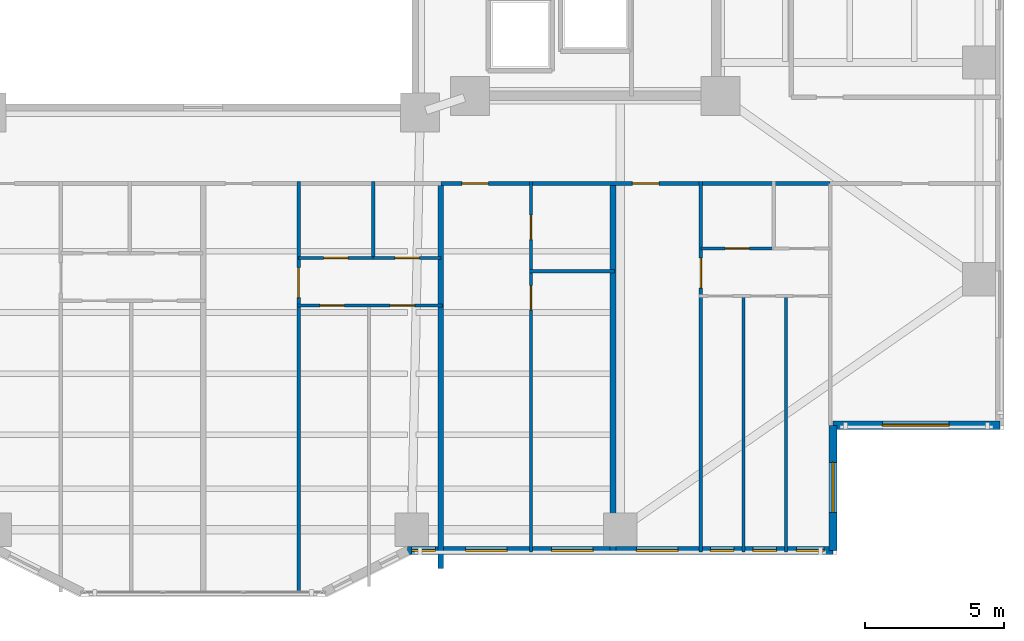
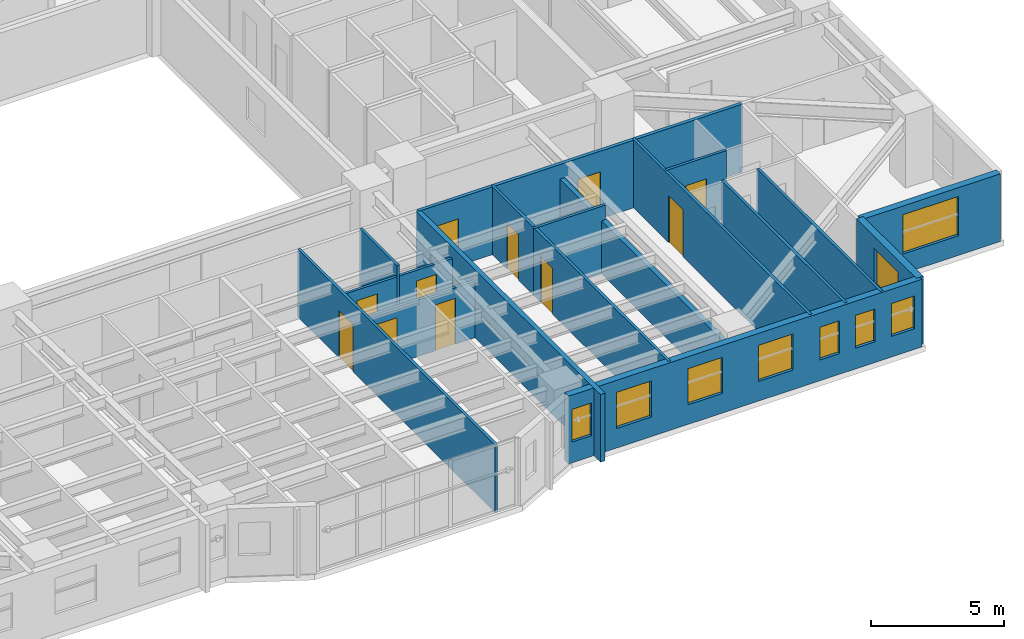
# One storey, part 12 of 21: 18 walls, 11 doors, 9 windows, 20 openings.
"""IFC4 building model written with IfcOpenShell, lengths in metres."""

from ifc_helpers import new_model, si_unit, direction, frame, frame_2d, origin, place, context, subcontext, project, spatial, rectangle, extrude, material, layer, layer_set, type_object, element, fill, save


model = new_model("IFC4")

# Units and contexts
model_context = context("Model", 3, precision=1e-05, world=origin(), true_north=direction((0.0, 1.0)))
body_context = subcontext(model_context, "Body", "Model", "MODEL_VIEW")
ifc_project = project(units=[si_unit("LENGTHUNIT", "METRE"), si_unit("AREAUNIT", "SQUARE_METRE"), si_unit("VOLUMEUNIT", "CUBIC_METRE"), si_unit("PLANEANGLEUNIT", "RADIAN"), si_unit("MASSUNIT", "GRAM", prefix="KILO")], contexts=[model_context])

# Site, building, storey
site_placement = place(None, origin())
site = spatial("IfcSite", under=ifc_project, at=site_placement, CompositionType="ELEMENT")
building_placement = place(site_placement, origin())
building = spatial("IfcBuilding", under=site, at=building_placement, Name="Tarnavaz Court Tower", CompositionType="ELEMENT")
storey_placement = place(building_placement, frame((0.0, 0.0, 24.0)))
storey = spatial("IfcBuildingStorey", under=building, at=storey_placement, Name="L05", CompositionType="ELEMENT", Elevation=24.0)

# Wall, opening, window
ifc_material_1 = material(Name="Precast Concrete C40/50", Category="concrete")
ifc_layer_1 = layer(ifc_material_1, 0.300048828125)
ifc_layer_set_1 = layer_set([ifc_layer_1], Name="Precast Concrete C40/50")
wall_type_1 = type_object("IfcWallType", Name="WL-EXT-300", PredefinedType="SOLIDWALL", material=ifc_layer_set_1)
wall_1_placement = place(storey_placement, frame((28.64990234375, -19.050048828125, 0.0), z_axis=(0.0, 0.0, 1.0), x_axis=(-1.0, 0.0, 0.0)))
wall_1 = element("IfcWall", 1, at=wall_1_placement, inside=storey, type_object=wall_type_1, Name="L05 Exterior Terracotta Facade Wall 13", PredefinedType="SOLIDWALL", context=body_context, shape_type="SweptSolid", body=[
    extrude(rectangle(XDim=6.0, YDim=0.300048828125, at=frame_2d((3.0, 0.0))), origin(), (0.0, 0.0, 1.0), 3.10009765625),
])
opening_1_placement = place(wall_1_placement, frame((1.824951171875, 0.0, 0.89990234375)))
opening_1 = element("IfcOpeningElement", 2, at=opening_1_placement, cuts=wall_1, Name="Opening W06", PredefinedType="OPENING", context=body_context, shape_type="SweptSolid", body=[
    extrude(rectangle(XDim=2.39990234375, YDim=1.800048828125, at=frame_2d((1.199951171875, 0.89990234375))), frame((0.0, 0.159912109375, 0.0), z_axis=(0.0, -1.0, 0.0), x_axis=(1.0, 0.0, 0.0)), (0.0, 0.0, 1.0), 0.320068359375),
])
ifc_material_2 = material(Name="Double-Glazed Solar Low-E Glass", Category="glass")
window_type_1 = type_object("IfcWindowType", Name="WN-APT-2400", PartitioningType="TRIPLE_PANEL_VERTICAL", PredefinedType="WINDOW", material=ifc_material_2)
window_1_placement = place(opening_1_placement, origin())
window_1 = element("IfcWindow", 3, at=window_1_placement, inside=storey, type_object=window_type_1, Name="L05 South-East Corner Reading Room Window", OverallHeight=1.800048828125, OverallWidth=2.39990234375, PartitioningType="SINGLE_PANEL", PredefinedType="WINDOW", context=body_context, shape_type="SweptSolid", body=[
    extrude(rectangle(XDim=2.39990234375, YDim=1.800048828125, at=frame_2d((1.199951171875, 0.89990234375))), frame((0.0, 0.030029296875, 0.0), z_axis=(0.0, -1.0, 0.0), x_axis=(1.0, 0.0, 0.0)), (0.0, 0.0, 1.0), 0.06005859375),
])
fill(opening_1, window_1)

wall_2_placement = place(storey_placement, frame((22.64990234375, -19.050048828125, 0.0), z_axis=(0.0, 0.0, 1.0), x_axis=(0.0, -1.0, 0.0)))
wall_2 = element("IfcWall", 4, at=wall_2_placement, inside=storey, type_object=wall_type_1, Name="L05 Exterior Terracotta Facade Wall 14", PredefinedType="SOLIDWALL", context=body_context, shape_type="SweptSolid", body=[
    extrude(rectangle(XDim=4.5, YDim=0.300048828125, at=frame_2d((2.25, 0.0))), origin(), (0.0, 0.0, 1.0), 3.10009765625),
])
opening_2_placement = place(wall_2_placement, frame((1.33251953125, 0.0, 0.89990234375)))
opening_2 = element("IfcOpeningElement", 5, at=opening_2_placement, cuts=wall_2, Name="Opening W01", PredefinedType="OPENING", context=body_context, shape_type="SweptSolid", body=[
    extrude(rectangle(XDim=1.800048828125, YDim=1.64990234375, at=frame_2d((0.89990234375, 0.824951171875))), frame((0.0, 0.159912109375, 0.0), z_axis=(0.0, -1.0, 0.0), x_axis=(1.0, 0.0, 0.0)), (0.0, 0.0, 1.0), 0.320068359375),
])
window_type_2 = type_object("IfcWindowType", Name="WN-APT-1800", PartitioningType="DOUBLE_PANEL_VERTICAL", PredefinedType="WINDOW", material=ifc_material_2)
window_2_placement = place(opening_2_placement, origin())
window_2 = element("IfcWindow", 6, at=window_2_placement, inside=storey, type_object=window_type_2, Name="L05 Flat 08 Bedroom 3 Window", OverallHeight=1.64990234375, OverallWidth=1.800048828125, PartitioningType="SINGLE_PANEL", PredefinedType="WINDOW", context=body_context, shape_type="SweptSolid", body=[
    extrude(rectangle(XDim=1.800048828125, YDim=1.64990234375, at=frame_2d((0.89990234375, 0.824951171875))), frame((0.0, 0.030029296875, 0.0), z_axis=(0.0, -1.0, 0.0), x_axis=(1.0, 0.0, 0.0)), (0.0, 0.0, 1.0), 0.06005859375),
])
fill(opening_2, window_2)

# Wall, openings, windows
wall_3_placement = place(storey_placement, frame((22.64990234375, -23.550048828125, 0.0), z_axis=(0.0, 0.0, 1.0), x_axis=(-1.0, 0.0, 0.0)))
wall_3 = element("IfcWall", 7, at=wall_3_placement, inside=storey, type_object=wall_type_1, Name="L05 Exterior Terracotta Facade Wall 15", PredefinedType="SOLIDWALL", context=body_context, shape_type="SweptSolid", body=[
    extrude(rectangle(XDim=15.2998046875, YDim=0.300048828125, at=frame_2d((7.64990234375, 0.0))), origin(), (0.0, 0.0, 1.0), 3.10009765625),
])
opening_3_placement = place(wall_3_placement, frame((0.32080078125, 0.0, 0.949951171875)))
opening_3 = element("IfcOpeningElement", 8, at=opening_3_placement, cuts=wall_3, Name="Opening W14", PredefinedType="OPENING", context=body_context, shape_type="SweptSolid", body=[
    extrude(rectangle(XDim=1.0, YDim=1.5, at=frame_2d((0.5, 0.75))), frame((0.0, 0.159912109375, 0.0), z_axis=(0.0, -1.0, 0.0), x_axis=(1.0, 0.0, 0.0)), (0.0, 0.0, 1.0), 0.320068359375),
])
opening_4_placement = place(wall_3_placement, frame((2.031005859375, 0.0, 0.949951171875)))
opening_4 = element("IfcOpeningElement", 9, at=opening_4_placement, cuts=wall_3, Name="Opening W15", PredefinedType="OPENING", context=body_context, shape_type="SweptSolid", body=[
    extrude(rectangle(XDim=0.85009765625, YDim=1.5, at=frame_2d((0.425048828125, 0.75))), frame((0.0, 0.159912109375, 0.0), z_axis=(0.0, -1.0, 0.0), x_axis=(1.0, 0.0, 0.0)), (0.0, 0.0, 1.0), 0.320068359375),
])
opening_5_placement = place(wall_3_placement, frame((3.5615234375, 0.0, 0.949951171875)))
opening_5 = element("IfcOpeningElement", 10, at=opening_5_placement, cuts=wall_3, Name="Opening W15", PredefinedType="OPENING", context=body_context, shape_type="SweptSolid", body=[
    extrude(rectangle(XDim=0.85009765625, YDim=1.5, at=frame_2d((0.425048828125, 0.75))), frame((0.0, 0.159912109375, 0.0), z_axis=(0.0, -1.0, 0.0), x_axis=(1.0, 0.0, 0.0)), (0.0, 0.0, 1.0), 0.320068359375),
])
opening_6_placement = place(wall_3_placement, frame((5.57080078125, 0.0, 0.89990234375)))
opening_6 = element("IfcOpeningElement", 11, at=opening_6_placement, cuts=wall_3, Name="Opening W03", PredefinedType="OPENING", context=body_context, shape_type="SweptSolid", body=[
    extrude(rectangle(XDim=1.5, YDim=1.64990234375, at=frame_2d((0.75, 0.824951171875))), frame((0.0, 0.159912109375, 0.0), z_axis=(0.0, -1.0, 0.0), x_axis=(1.0, 0.0, 0.0)), (0.0, 0.0, 1.0), 0.320068359375),
])
opening_7_placement = place(wall_3_placement, frame((8.630615234375, 0.0, 0.89990234375)))
opening_7 = element("IfcOpeningElement", 12, at=opening_7_placement, cuts=wall_3, Name="Opening W03", PredefinedType="OPENING", context=body_context, shape_type="SweptSolid", body=[
    extrude(rectangle(XDim=1.5, YDim=1.64990234375, at=frame_2d((0.75, 0.824951171875))), frame((0.0, 0.159912109375, 0.0), z_axis=(0.0, -1.0, 0.0), x_axis=(1.0, 0.0, 0.0)), (0.0, 0.0, 1.0), 0.320068359375),
])
opening_8_placement = place(wall_3_placement, frame((11.7158203125, 0.0, 0.89990234375)))
opening_8 = element("IfcOpeningElement", 13, at=opening_8_placement, cuts=wall_3, Name="Opening W03", PredefinedType="OPENING", context=body_context, shape_type="SweptSolid", body=[
    extrude(rectangle(XDim=1.5, YDim=1.64990234375, at=frame_2d((0.75, 0.824951171875))), frame((0.0, 0.159912109375, 0.0), z_axis=(0.0, -1.0, 0.0), x_axis=(1.0, 0.0, 0.0)), (0.0, 0.0, 1.0), 0.320068359375),
])
opening_9_placement = place(wall_3_placement, frame((14.30322265625, 0.0, 0.949951171875)))
opening_9 = element("IfcOpeningElement", 14, at=opening_9_placement, cuts=wall_3, Name="Opening W15", PredefinedType="OPENING", context=body_context, shape_type="SweptSolid", body=[
    extrude(rectangle(XDim=0.85009765625, YDim=1.5, at=frame_2d((0.425048828125, 0.75))), frame((0.0, 0.159912109375, 0.0), z_axis=(0.0, -1.0, 0.0), x_axis=(1.0, 0.0, 0.0)), (0.0, 0.0, 1.0), 0.320068359375),
])
window_type_3 = type_object("IfcWindowType", Name="WN-APT-1000", PartitioningType="SINGLE_PANEL", PredefinedType="WINDOW", material=ifc_material_2)
window_3_placement = place(opening_3_placement, origin())
window_3 = element("IfcWindow", 15, at=window_3_placement, inside=storey, type_object=window_type_3, Name="L05 Flat 08 Bedroom 3 Window", OverallHeight=1.5, OverallWidth=1.0, PartitioningType="SINGLE_PANEL", PredefinedType="WINDOW", context=body_context, shape_type="SweptSolid", body=[
    extrude(rectangle(XDim=1.0, YDim=1.5, at=frame_2d((0.5, 0.75))), frame((0.0, 0.030029296875, 0.0), z_axis=(0.0, -1.0, 0.0), x_axis=(1.0, 0.0, 0.0)), (0.0, 0.0, 1.0), 0.06005859375),
])
fill(opening_3, window_3)
window_type_4 = type_object("IfcWindowType", Name="WN-APT-1500", PartitioningType="DOUBLE_PANEL_VERTICAL", PredefinedType="WINDOW", material=ifc_material_2)
window_4_placement = place(opening_6_placement, origin())
window_4 = element("IfcWindow", 16, at=window_4_placement, inside=storey, type_object=window_type_4, Name="L05 Flat 08 Living and Dining Room Window", OverallHeight=1.64990234375, OverallWidth=1.5, PartitioningType="SINGLE_PANEL", PredefinedType="WINDOW", context=body_context, shape_type="SweptSolid", body=[
    extrude(rectangle(XDim=1.5, YDim=1.64990234375, at=frame_2d((0.75, 0.824951171875))), frame((0.0, 0.030029296875, 0.0), z_axis=(0.0, -1.0, 0.0), x_axis=(1.0, 0.0, 0.0)), (0.0, 0.0, 1.0), 0.06005859375),
])
fill(opening_6, window_4)
window_5_placement = place(opening_7_placement, origin())
window_5 = element("IfcWindow", 17, at=window_5_placement, inside=storey, type_object=window_type_4, Name="L05 Flat 07 Kitchen Window", OverallHeight=1.64990234375, OverallWidth=1.5, PartitioningType="SINGLE_PANEL", PredefinedType="WINDOW", context=body_context, shape_type="SweptSolid", body=[
    extrude(rectangle(XDim=1.5, YDim=1.64990234375, at=frame_2d((0.75, 0.824951171875))), frame((0.0, 0.030029296875, 0.0), z_axis=(0.0, -1.0, 0.0), x_axis=(1.0, 0.0, 0.0)), (0.0, 0.0, 1.0), 0.06005859375),
])
fill(opening_7, window_5)
window_6_placement = place(opening_8_placement, origin())
window_6 = element("IfcWindow", 18, at=window_6_placement, inside=storey, type_object=window_type_4, Name="L05 Flat 07 Studio Living and Sleeping Room Window", OverallHeight=1.64990234375, OverallWidth=1.5, PartitioningType="SINGLE_PANEL", PredefinedType="WINDOW", context=body_context, shape_type="SweptSolid", body=[
    extrude(rectangle(XDim=1.5, YDim=1.64990234375, at=frame_2d((0.75, 0.824951171875))), frame((0.0, 0.030029296875, 0.0), z_axis=(0.0, -1.0, 0.0), x_axis=(1.0, 0.0, 0.0)), (0.0, 0.0, 1.0), 0.06005859375),
])
fill(opening_8, window_6)
window_type_5 = type_object("IfcWindowType", Name="WN-APT-850", PartitioningType="SINGLE_PANEL", PredefinedType="WINDOW", material=ifc_material_2)
window_7_placement = place(opening_4_placement, origin())
window_7 = element("IfcWindow", 19, at=window_7_placement, inside=storey, type_object=window_type_5, Name="L05 Flat 08 Bedroom 2 Window", OverallHeight=1.5, OverallWidth=0.85009765625, PartitioningType="SINGLE_PANEL", PredefinedType="WINDOW", context=body_context, shape_type="SweptSolid", body=[
    extrude(rectangle(XDim=0.85009765625, YDim=1.5, at=frame_2d((0.425048828125, 0.75))), frame((0.0, 0.030029296875, 0.0), z_axis=(0.0, -1.0, 0.0), x_axis=(1.0, 0.0, 0.0)), (0.0, 0.0, 1.0), 0.06005859375),
])
fill(opening_4, window_7)
window_8_placement = place(opening_5_placement, origin())
window_8 = element("IfcWindow", 20, at=window_8_placement, inside=storey, type_object=window_type_5, Name="L05 Flat 08 Principal Bedroom Window", OverallHeight=1.5, OverallWidth=0.85009765625, PartitioningType="SINGLE_PANEL", PredefinedType="WINDOW", context=body_context, shape_type="SweptSolid", body=[
    extrude(rectangle(XDim=0.85009765625, YDim=1.5, at=frame_2d((0.425048828125, 0.75))), frame((0.0, 0.030029296875, 0.0), z_axis=(0.0, -1.0, 0.0), x_axis=(1.0, 0.0, 0.0)), (0.0, 0.0, 1.0), 0.06005859375),
])
fill(opening_5, window_8)
window_9_placement = place(opening_9_placement, origin())
window_9 = element("IfcWindow", 21, at=window_9_placement, inside=storey, type_object=window_type_5, Name="L05 Flat 10 Bedroom 2 Window", OverallHeight=1.5, OverallWidth=0.85009765625, PartitioningType="SINGLE_PANEL", PredefinedType="WINDOW", context=body_context, shape_type="SweptSolid", body=[
    extrude(rectangle(XDim=0.85009765625, YDim=1.5, at=frame_2d((0.425048828125, 0.75))), frame((0.0, 0.030029296875, 0.0), z_axis=(0.0, -1.0, 0.0), x_axis=(1.0, 0.0, 0.0)), (0.0, 0.0, 1.0), 0.06005859375),
])
fill(opening_9, window_9)

# Wall, openings, doors
ifc_material_3 = material(Name="Gypsum Fire-Board on Acoustic Metal Stud", Category="masonry")
ifc_layer_2 = layer(ifc_material_3, 0.14990234375)
ifc_layer_set_2 = layer_set([ifc_layer_2], Name="Gypsum Fire-Board on Acoustic Metal Stud")
wall_type_2 = type_object("IfcWallType", Name="WL-FIRE-150", PredefinedType="PARTITIONING", material=ifc_layer_set_2)
wall_4_placement = place(storey_placement, frame((8.550048828125, -10.35009765625, 0.0), z_axis=(0.0, 0.0, 1.0), x_axis=(1.0, 0.0, 0.0)))
wall_4 = element("IfcWall", 22, at=wall_4_placement, inside=storey, type_object=wall_type_2, Name="L05 SE Corridor Wall 086", PredefinedType="PARTITIONING", context=body_context, shape_type="SweptSolid", body=[
    extrude(rectangle(XDim=14.0, YDim=0.14990234375, at=frame_2d((7.0, 0.0))), origin(), (0.0, 0.0, 1.0), 3.10009765625),
])
opening_10_placement = place(wall_4_placement, frame((0.75, 0.0, 0.0)))
opening_10 = element("IfcOpeningElement", 23, at=opening_10_placement, cuts=wall_4, Name="Opening D06", PredefinedType="OPENING", context=body_context, shape_type="SweptSolid", body=[
    extrude(rectangle(XDim=0.9599609375, YDim=2.14990234375, at=frame_2d((0.47998046875, 1.074951171875))), frame((0.0, 0.0849609375, 0.0), z_axis=(0.0, -1.0, 0.0), x_axis=(1.0, 0.0, 0.0)), (0.0, 0.0, 1.0), 0.169921875),
])
opening_11_placement = place(wall_4_placement, frame((6.887939453125, 0.0, 0.0)))
opening_11 = element("IfcOpeningElement", 24, at=opening_11_placement, cuts=wall_4, Name="Opening D06", PredefinedType="OPENING", context=body_context, shape_type="SweptSolid", body=[
    extrude(rectangle(XDim=0.9599609375, YDim=2.14990234375, at=frame_2d((0.47998046875, 1.074951171875))), frame((0.0, 0.0849609375, 0.0), z_axis=(0.0, -1.0, 0.0), x_axis=(1.0, 0.0, 0.0)), (0.0, 0.0, 1.0), 0.169921875),
])
ifc_material_4 = material(Name="Fire-Rated Hardwood Timber Core", Category="wood")
door_type_1 = type_object("IfcDoorType", Name="DR-FD60-950", OperationType="NOTDEFINED", PredefinedType="DOOR", material=ifc_material_4)
door_1_placement = place(opening_10_placement, origin())
door_1 = element("IfcDoor", 25, at=door_1_placement, inside=storey, type_object=door_type_1, Name="L05 Flat 07 Entrance Door", OperationType="SINGLE_SWING_RIGHT", OverallHeight=2.14990234375, OverallWidth=0.9599609375, PredefinedType="DOOR", context=body_context, shape_type="SweptSolid", body=[
    extrude(rectangle(XDim=0.9599609375, YDim=2.14990234375, at=frame_2d((0.47998046875, 1.074951171875))), frame((0.0, 0.02490234375, 0.0), z_axis=(0.0, -1.0, 0.0), x_axis=(1.0, 0.0, 0.0)), (0.0, 0.0, 1.0), 0.050048828125),
])
fill(opening_10, door_1)
door_2_placement = place(opening_11_placement, origin())
door_2 = element("IfcDoor", 26, at=door_2_placement, inside=storey, type_object=door_type_1, Name="L05 Flat 08 Entrance Door", OperationType="SINGLE_SWING_LEFT", OverallHeight=2.14990234375, OverallWidth=0.9599609375, PredefinedType="DOOR", context=body_context, shape_type="SweptSolid", body=[
    extrude(rectangle(XDim=0.9599609375, YDim=2.14990234375, at=frame_2d((0.47998046875, 1.074951171875))), frame((0.0, 0.02490234375, 0.0), z_axis=(0.0, -1.0, 0.0), x_axis=(1.0, 0.0, 0.0)), (0.0, 0.0, 1.0), 0.050048828125),
])
fill(opening_11, door_2)

# Walls
ifc_material_5 = material(Name="Autoclaved Aerated Concrete Blockwork", Category="masonry")
ifc_layer_3 = layer(ifc_material_5, 0.199951171875)
ifc_layer_set_3 = layer_set([ifc_layer_3], Name="Autoclaved Aerated Concrete Blockwork")
wall_type_3 = type_object("IfcWallType", Name="WL-FIRE-200", PredefinedType="SOLIDWALL", material=ifc_layer_set_3)
wall_5_placement = place(storey_placement, frame((14.738037109375, -23.60009765625, 0.0), z_axis=(0.0, 0.0, 1.0), x_axis=(0.0, 1.0, 0.0)))
element("IfcWall", 27, at=wall_5_placement, inside=storey, type_object=wall_type_3, Name="L05 Party Wall 118", PredefinedType="SOLIDWALL", context=body_context, shape_type="SweptSolid", body=[
    extrude(rectangle(XDim=13.25, YDim=0.199951171875, at=frame_2d((6.625, 0.0))), origin(), (0.0, 0.0, 1.0), 2.43505859375),
])
wall_6_placement = place(storey_placement, frame((8.550048828125, -24.2041015625, 0.0), z_axis=(0.0, 0.0, 1.0), x_axis=(0.0, 1.0, 0.0)))
element("IfcWall", 28, at=wall_6_placement, inside=storey, type_object=wall_type_3, Name="L05 Party Wall 130", PredefinedType="SOLIDWALL", context=body_context, shape_type="SweptSolid", body=[
    extrude(rectangle(XDim=13.85400390625, YDim=0.199951171875, at=frame_2d((6.927001953125, 0.0))), origin(), (0.0, 0.0, 1.0), 3.10009765625),
])

# Wall, opening, door
ifc_material_6 = material(Name="Moisture-Resistant Gypsum Board Partition", Category="masonry")
ifc_layer_4 = layer(ifc_material_6, 0.1201171875)
ifc_layer_set_4 = layer_set([ifc_layer_4], Name="Moisture-Resistant Gypsum Board Partition")
wall_type_4 = type_object("IfcWallType", Name="WL-PART-120", PredefinedType="PARTITIONING", material=ifc_layer_set_4)
wall_7_placement = place(storey_placement, frame((11.7890625, -23.60009765625, 0.0), z_axis=(0.0, 0.0, 1.0), x_axis=(0.0, 1.0, 0.0)))
wall_7 = element("IfcWall", 29, at=wall_7_placement, inside=storey, type_object=wall_type_4, Name="L05 Interior Partition 119", PredefinedType="PARTITIONING", context=body_context, shape_type="SweptSolid", body=[
    extrude(rectangle(XDim=10.090087890625, YDim=0.1201171875, at=frame_2d((5.044921875, 0.0))), origin(), (0.0, 0.0, 1.0), 3.10009765625),
])
opening_12_placement = place(wall_7_placement, frame((8.68994140625, 0.0, 0.0)))
opening_12 = element("IfcOpeningElement", 30, at=opening_12_placement, cuts=wall_7, Name="Opening D14", PredefinedType="OPENING", context=body_context, shape_type="SweptSolid", body=[
    extrude(rectangle(XDim=0.8798828125, YDim=2.10009765625, at=frame_2d((0.43994140625, 1.050048828125))), frame((0.0, 0.070068359375, 0.0), z_axis=(0.0, -1.0, 0.0), x_axis=(1.0, 0.0, 0.0)), (0.0, 0.0, 1.0), 0.14013671875),
])
ifc_material_7 = material(Name="Engineered Oak Timber", Category="wood")
door_type_2 = type_object("IfcDoorType", Name="DR-INT-900", OperationType="NOTDEFINED", PredefinedType="DOOR", material=ifc_material_7)
door_3_placement = place(opening_12_placement, origin())
door_3 = element("IfcDoor", 31, at=door_3_placement, inside=storey, type_object=door_type_2, Name="L05 Flat 07 Kitchen Door", OperationType="SINGLE_SWING_LEFT", OverallHeight=2.10009765625, OverallWidth=0.8798828125, PredefinedType="DOOR", context=body_context, shape_type="SweptSolid", body=[
    extrude(rectangle(XDim=0.8798828125, YDim=2.10009765625, at=frame_2d((0.43994140625, 1.050048828125))), frame((0.0, 0.02490234375, 0.0), z_axis=(0.0, -1.0, 0.0), x_axis=(1.0, 0.0, 0.0)), (0.0, 0.0, 1.0), 0.050048828125),
])
fill(opening_12, door_3)

wall_8_placement = place(storey_placement, frame((11.7890625, -13.510009765625, 0.0), z_axis=(0.0, 0.0, 1.0), x_axis=(0.0, 1.0, 0.0)))
wall_8 = element("IfcWall", 32, at=wall_8_placement, inside=storey, type_object=wall_type_4, Name="L05 Interior Partition 120", PredefinedType="PARTITIONING", context=body_context, shape_type="SweptSolid", body=[
    extrude(rectangle(XDim=3.219970703125, YDim=0.1201171875, at=frame_2d((1.60986328125, 0.0))), origin(), (0.0, 0.0, 1.0), 3.10009765625),
])
opening_13_placement = place(wall_8_placement, frame((1.139892578125, 0.0, 0.0)))
opening_13 = element("IfcOpeningElement", 33, at=opening_13_placement, cuts=wall_8, Name="Opening D14", PredefinedType="OPENING", context=body_context, shape_type="SweptSolid", body=[
    extrude(rectangle(XDim=0.8798828125, YDim=2.10009765625, at=frame_2d((0.43994140625, 1.050048828125))), frame((0.0, 0.070068359375, 0.0), z_axis=(0.0, -1.0, 0.0), x_axis=(1.0, 0.0, 0.0)), (0.0, 0.0, 1.0), 0.14013671875),
])
door_4_placement = place(opening_13_placement, origin())
door_4 = element("IfcDoor", 34, at=door_4_placement, inside=storey, type_object=door_type_2, Name="L05 Flat 07 Bathroom Door", OperationType="SINGLE_SWING_RIGHT", OverallHeight=2.10009765625, OverallWidth=0.8798828125, PredefinedType="DOOR", context=body_context, shape_type="SweptSolid", body=[
    extrude(rectangle(XDim=0.8798828125, YDim=2.10009765625, at=frame_2d((0.43994140625, 1.050048828125))), frame((0.0, 0.02490234375, 0.0), z_axis=(0.0, -1.0, 0.0), x_axis=(1.0, 0.0, 0.0)), (0.0, 0.0, 1.0), 0.050048828125),
])
fill(opening_13, door_4)

# Wall
wall_9_placement = place(storey_placement, frame((11.72900390625, -13.510009765625, 0.0), z_axis=(0.0, 0.0, 1.0), x_axis=(1.0, 0.0, 0.0)))
element("IfcWall", 35, at=wall_9_placement, inside=storey, type_object=wall_type_4, Name="L05 Interior Partition 121", PredefinedType="PARTITIONING", context=body_context, shape_type="SweptSolid", body=[
    extrude(rectangle(XDim=3.069091796875, YDim=0.1201171875, at=frame_2d((1.53466796875, 0.0))), origin(), (0.0, 0.0, 1.0), 3.10009765625),
])

# Wall, opening, door
wall_10_placement = place(storey_placement, frame((17.89794921875, -23.60009765625, 0.0), z_axis=(0.0, 0.0, 1.0), x_axis=(0.0, 1.0, 0.0)))
wall_10 = element("IfcWall", 36, at=wall_10_placement, inside=storey, type_object=wall_type_4, Name="L05 Interior Partition 122", PredefinedType="PARTITIONING", context=body_context, shape_type="SweptSolid", body=[
    extrude(rectangle(XDim=13.31005859375, YDim=0.1201171875, at=frame_2d((6.655029296875, 0.0))), origin(), (0.0, 0.0, 1.0), 3.10009765625),
])
opening_14_placement = place(wall_10_placement, frame((9.485107421875, 0.0, 0.0)))
opening_14 = element("IfcOpeningElement", 37, at=opening_14_placement, cuts=wall_10, Name="Opening D12", PredefinedType="OPENING", context=body_context, shape_type="SweptSolid", body=[
    extrude(rectangle(XDim=1.080078125, YDim=2.14990234375, at=frame_2d((0.5400390625, 1.074951171875))), frame((0.0, 0.070068359375, 0.0), z_axis=(0.0, -1.0, 0.0), x_axis=(1.0, 0.0, 0.0)), (0.0, 0.0, 1.0), 0.14013671875),
])
door_type_3 = type_object("IfcDoorType", Name="DR-INT-1100", OperationType="NOTDEFINED", PredefinedType="DOOR", material=ifc_material_7)
door_5_placement = place(opening_14_placement, origin())
door_5 = element("IfcDoor", 38, at=door_5_placement, inside=storey, type_object=door_type_3, Name="L05 Flat 08 Foyer Door", OperationType="SINGLE_SWING_RIGHT", OverallHeight=2.14990234375, OverallWidth=1.080078125, PredefinedType="DOOR", context=body_context, shape_type="SweptSolid", body=[
    extrude(rectangle(XDim=1.080078125, YDim=2.14990234375, at=frame_2d((0.5400390625, 1.074951171875))), frame((0.0, 0.02490234375, 0.0), z_axis=(0.0, -1.0, 0.0), x_axis=(1.0, 0.0, 0.0)), (0.0, 0.0, 1.0), 0.050048828125),
])
fill(opening_14, door_5)

wall_11_placement = place(storey_placement, frame((17.89794921875, -12.68994140625, 0.0), z_axis=(0.0, 0.0, 1.0), x_axis=(1.0, 0.0, 0.0)))
wall_11 = element("IfcWall", 39, at=wall_11_placement, inside=storey, type_object=wall_type_4, Name="L05 Interior Partition 123", PredefinedType="PARTITIONING", context=body_context, shape_type="SweptSolid", body=[
    extrude(rectangle(XDim=2.616943359375, YDim=0.1201171875, at=frame_2d((1.30859375, 0.0))), origin(), (0.0, 0.0, 1.0), 3.10009765625),
])
opening_15_placement = place(wall_11_placement, frame((0.868896484375, 0.0, 0.0)))
opening_15 = element("IfcOpeningElement", 40, at=opening_15_placement, cuts=wall_11, Name="Opening D14", PredefinedType="OPENING", context=body_context, shape_type="SweptSolid", body=[
    extrude(rectangle(XDim=0.8798828125, YDim=2.10009765625, at=frame_2d((0.43994140625, 1.050048828125))), frame((0.0, 0.070068359375, 0.0), z_axis=(0.0, -1.0, 0.0), x_axis=(1.0, 0.0, 0.0)), (0.0, 0.0, 1.0), 0.14013671875),
])
door_6_placement = place(opening_15_placement, origin())
door_6 = element("IfcDoor", 41, at=door_6_placement, inside=storey, type_object=door_type_2, Name="L05 Flat 08 Kitchen Door", OperationType="SINGLE_SWING_LEFT", OverallHeight=2.10009765625, OverallWidth=0.8798828125, PredefinedType="DOOR", context=body_context, shape_type="SweptSolid", body=[
    extrude(rectangle(XDim=0.8798828125, YDim=2.10009765625, at=frame_2d((0.43994140625, 1.050048828125))), frame((0.0, 0.02490234375, 0.0), z_axis=(0.0, -1.0, 0.0), x_axis=(1.0, 0.0, 0.0)), (0.0, 0.0, 1.0), 0.050048828125),
])
fill(opening_15, door_6)

# Walls
for number, where, z_axis, x_axis, name in (
    (42, (19.428955078125, -23.60009765625, 0.0), (0.0, 0.0, 1.0), (0.0, 1.0, 0.0), "L05 Interior Partition 127"),
    (43, (20.958984375, -23.60009765625, 0.0), (0.0, 0.0, 1.0), (0.0, 1.0, 0.0), "L05 Interior Partition 128"),
):
    element("IfcWall", number, at=place(storey_placement, frame(where, z_axis=z_axis, x_axis=x_axis)), inside=storey, type_object=wall_type_4, Name=name, PredefinedType="PARTITIONING", context=body_context, shape_type="SweptSolid", body=[
        extrude(rectangle(XDim=9.260009765625, YDim=0.1201171875, at=frame_2d((4.6298828125, 0.0))), origin(), (0.0, 0.0, 1.0), 3.10009765625),
    ])

# Wall, opening, door
wall_12_placement = place(storey_placement, frame((3.431884765625, -25.080078125, 0.0), z_axis=(0.0, 0.0, 1.0), x_axis=(0.0, 1.0, 0.0)))
wall_12 = element("IfcWall", 44, at=wall_12_placement, inside=storey, type_object=wall_type_4, Name="L05 Interior Partition 138", PredefinedType="PARTITIONING", context=body_context, shape_type="SweptSolid", body=[
    extrude(rectangle(XDim=14.7900390625, YDim=0.1201171875, at=frame_2d((7.39501953125, 0.0))), origin(), (0.0, 0.0, 1.0), 3.10009765625),
])
opening_16_placement = place(wall_12_placement, frame((10.625, 0.0, 0.0)))
opening_16 = element("IfcOpeningElement", 45, at=opening_16_placement, cuts=wall_12, Name="Opening D12", PredefinedType="OPENING", context=body_context, shape_type="SweptSolid", body=[
    extrude(rectangle(XDim=1.080078125, YDim=2.14990234375, at=frame_2d((0.5400390625, 1.074951171875))), frame((0.0, 0.070068359375, 0.0), z_axis=(0.0, -1.0, 0.0), x_axis=(1.0, 0.0, 0.0)), (0.0, 0.0, 1.0), 0.14013671875),
])
door_7_placement = place(opening_16_placement, origin())
door_7 = element("IfcDoor", 46, at=door_7_placement, inside=storey, type_object=door_type_3, Name="L05 Flat 10 Foyer Door", OperationType="SINGLE_SWING_LEFT", OverallHeight=2.14990234375, OverallWidth=1.080078125, PredefinedType="DOOR", context=body_context, shape_type="SweptSolid", body=[
    extrude(rectangle(XDim=1.080078125, YDim=2.14990234375, at=frame_2d((0.5400390625, 1.074951171875))), frame((0.0, 0.02490234375, 0.0), z_axis=(0.0, -1.0, 0.0), x_axis=(1.0, 0.0, 0.0)), (0.0, 0.0, 1.0), 0.050048828125),
])
fill(opening_16, door_7)

wall_13_placement = place(storey_placement, frame((3.431884765625, -13.030029296875, 0.0), z_axis=(0.0, 0.0, 1.0), x_axis=(1.0, 0.0, 0.0)))
wall_13 = element("IfcWall", 47, at=wall_13_placement, inside=storey, type_object=wall_type_4, Name="L05 Interior Partition 139", PredefinedType="PARTITIONING", context=body_context, shape_type="SweptSolid", body=[
    extrude(rectangle(XDim=2.68115234375, YDim=0.1201171875, at=frame_2d((1.340576171875, 0.0))), origin(), (0.0, 0.0, 1.0), 2.5849609375),
])
opening_17_placement = place(wall_13_placement, frame((0.90087890625, 0.0, 0.0)))
opening_17 = element("IfcOpeningElement", 48, at=opening_17_placement, cuts=wall_13, Name="Opening D14", PredefinedType="OPENING", context=body_context, shape_type="SweptSolid", body=[
    extrude(rectangle(XDim=0.8798828125, YDim=2.10009765625, at=frame_2d((0.43994140625, 1.050048828125))), frame((0.0, 0.070068359375, 0.0), z_axis=(0.0, -1.0, 0.0), x_axis=(1.0, 0.0, 0.0)), (0.0, 0.0, 1.0), 0.14013671875),
])
door_8_placement = place(opening_17_placement, origin())
door_8 = element("IfcDoor", 49, at=door_8_placement, inside=storey, type_object=door_type_2, Name="L05 Flat 10 Kitchen Door", OperationType="SINGLE_SWING_RIGHT", OverallHeight=2.10009765625, OverallWidth=0.8798828125, PredefinedType="DOOR", context=body_context, shape_type="SweptSolid", body=[
    extrude(rectangle(XDim=0.8798828125, YDim=2.10009765625, at=frame_2d((0.43994140625, 1.050048828125))), frame((0.0, 0.02490234375, 0.0), z_axis=(0.0, -1.0, 0.0), x_axis=(1.0, 0.0, 0.0)), (0.0, 0.0, 1.0), 0.050048828125),
])
fill(opening_17, door_8)

wall_14_placement = place(storey_placement, frame((6.113037109375, -13.030029296875, 0.0), z_axis=(0.0, 0.0, 1.0), x_axis=(1.0, 0.0, 0.0)))
wall_14 = element("IfcWall", 50, at=wall_14_placement, inside=storey, type_object=wall_type_4, Name="L05 Interior Partition 140", PredefinedType="PARTITIONING", context=body_context, shape_type="SweptSolid", body=[
    extrude(rectangle(XDim=2.43701171875, YDim=0.1201171875, at=frame_2d((1.218505859375, 0.0))), origin(), (0.0, 0.0, 1.0), 2.5849609375),
])
opening_18_placement = place(wall_14_placement, frame((0.779052734375, 0.0, 0.0)))
opening_18 = element("IfcOpeningElement", 51, at=opening_18_placement, cuts=wall_14, Name="Opening D14", PredefinedType="OPENING", context=body_context, shape_type="SweptSolid", body=[
    extrude(rectangle(XDim=0.8798828125, YDim=2.10009765625, at=frame_2d((0.43994140625, 1.050048828125))), frame((0.0, 0.070068359375, 0.0), z_axis=(0.0, -1.0, 0.0), x_axis=(1.0, 0.0, 0.0)), (0.0, 0.0, 1.0), 0.14013671875),
])
door_9_placement = place(opening_18_placement, origin())
door_9 = element("IfcDoor", 52, at=door_9_placement, inside=storey, type_object=door_type_2, Name="L05 Flat 10 Bathroom Door", OperationType="SINGLE_SWING_LEFT", OverallHeight=2.10009765625, OverallWidth=0.8798828125, PredefinedType="DOOR", context=body_context, shape_type="SweptSolid", body=[
    extrude(rectangle(XDim=0.8798828125, YDim=2.10009765625, at=frame_2d((0.43994140625, 1.050048828125))), frame((0.0, 0.02490234375, 0.0), z_axis=(0.0, -1.0, 0.0), x_axis=(1.0, 0.0, 0.0)), (0.0, 0.0, 1.0), 0.050048828125),
])
fill(opening_18, door_9)

# Wall, openings, doors
wall_15_placement = place(storey_placement, frame((3.3720703125, -14.739990234375, 0.0), z_axis=(0.0, 0.0, 1.0), x_axis=(1.0, 0.0, 0.0)))
wall_15 = element("IfcWall", 53, at=wall_15_placement, inside=storey, type_object=wall_type_4, Name="L05 Interior Partition 141", PredefinedType="PARTITIONING", context=body_context, shape_type="SweptSolid", body=[
    extrude(rectangle(XDim=5.238037109375, YDim=0.1201171875, at=frame_2d((2.619140625, 0.0))), origin(), (0.0, 0.0, 1.0), 2.5849609375),
])
opening_19_placement = place(wall_15_placement, frame((0.824951171875, 0.0, 0.0)))
opening_19 = element("IfcOpeningElement", 54, at=opening_19_placement, cuts=wall_15, Name="Opening D14", PredefinedType="OPENING", context=body_context, shape_type="SweptSolid", body=[
    extrude(rectangle(XDim=0.8798828125, YDim=2.10009765625, at=frame_2d((0.43994140625, 1.050048828125))), frame((0.0, 0.070068359375, 0.0), z_axis=(0.0, -1.0, 0.0), x_axis=(1.0, 0.0, 0.0)), (0.0, 0.0, 1.0), 0.14013671875),
])
opening_20_placement = place(wall_15_placement, frame((3.35302734375, 0.0, 0.0)))
opening_20 = element("IfcOpeningElement", 55, at=opening_20_placement, cuts=wall_15, Name="Opening D14", PredefinedType="OPENING", context=body_context, shape_type="SweptSolid", body=[
    extrude(rectangle(XDim=0.8798828125, YDim=2.10009765625, at=frame_2d((0.43994140625, 1.050048828125))), frame((0.0, 0.070068359375, 0.0), z_axis=(0.0, -1.0, 0.0), x_axis=(1.0, 0.0, 0.0)), (0.0, 0.0, 1.0), 0.14013671875),
])
door_10_placement = place(opening_19_placement, origin())
door_10 = element("IfcDoor", 56, at=door_10_placement, inside=storey, type_object=door_type_2, Name="L05 Flat 10 Bedroom 1 Door", OperationType="SINGLE_SWING_RIGHT", OverallHeight=2.10009765625, OverallWidth=0.8798828125, PredefinedType="DOOR", context=body_context, shape_type="SweptSolid", body=[
    extrude(rectangle(XDim=0.8798828125, YDim=2.10009765625, at=frame_2d((0.43994140625, 1.050048828125))), frame((0.0, 0.02490234375, 0.0), z_axis=(0.0, -1.0, 0.0), x_axis=(1.0, 0.0, 0.0)), (0.0, 0.0, 1.0), 0.050048828125),
])
fill(opening_19, door_10)
door_11_placement = place(opening_20_placement, origin())
door_11 = element("IfcDoor", 57, at=door_11_placement, inside=storey, type_object=door_type_2, Name="L05 Flat 10 Bedroom 2 Door", OperationType="SINGLE_SWING_LEFT", OverallHeight=2.10009765625, OverallWidth=0.8798828125, PredefinedType="DOOR", context=body_context, shape_type="SweptSolid", body=[
    extrude(rectangle(XDim=0.8798828125, YDim=2.10009765625, at=frame_2d((0.43994140625, 1.050048828125))), frame((0.0, 0.02490234375, 0.0), z_axis=(0.0, -1.0, 0.0), x_axis=(1.0, 0.0, 0.0)), (0.0, 0.0, 1.0), 0.050048828125),
])
fill(opening_20, door_11)

# Wall
wall_16_placement = place(storey_placement, frame((6.113037109375, -13.090087890625, 0.0), z_axis=(0.0, 0.0, 1.0), x_axis=(0.0, 1.0, 0.0)))
element("IfcWall", 58, at=wall_16_placement, inside=storey, type_object=wall_type_4, Name="L05 Interior Partition 142", PredefinedType="PARTITIONING", context=body_context, shape_type="SweptSolid", body=[
    extrude(rectangle(XDim=2.800048828125, YDim=0.1201171875, at=frame_2d((1.39990234375, 0.0))), origin(), (0.0, 0.0, 1.0), 3.10009765625),
])

save(model, "model.ifc")
